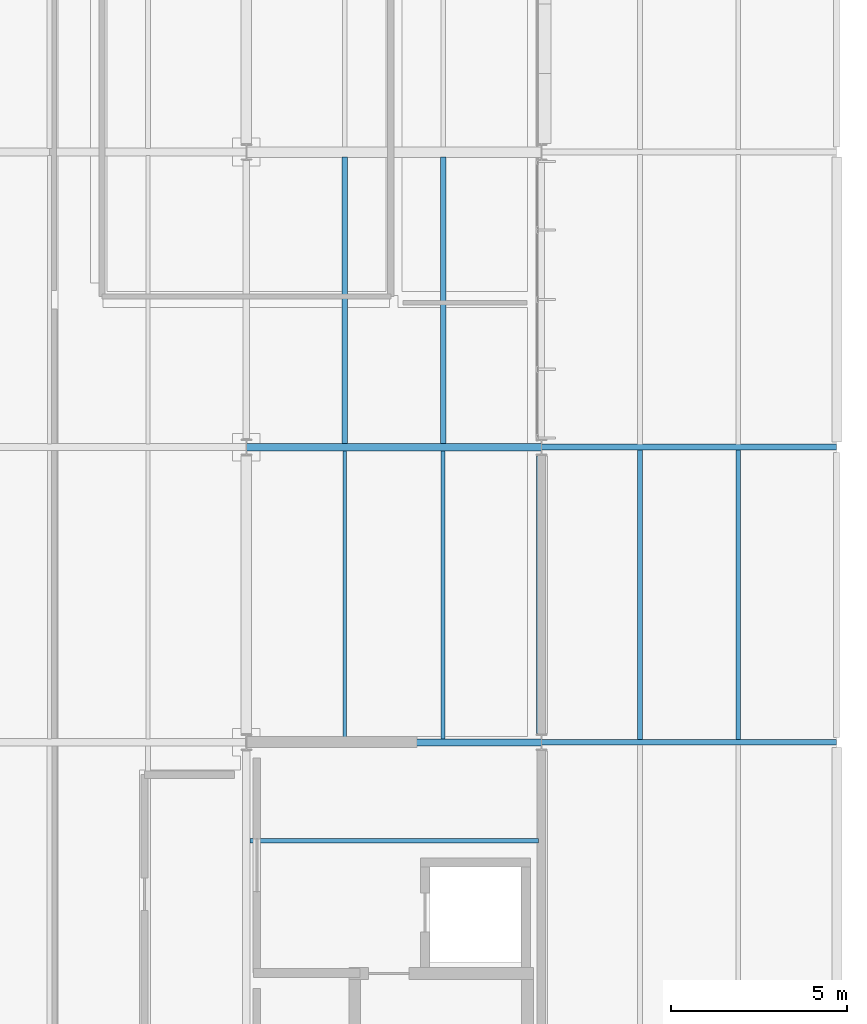
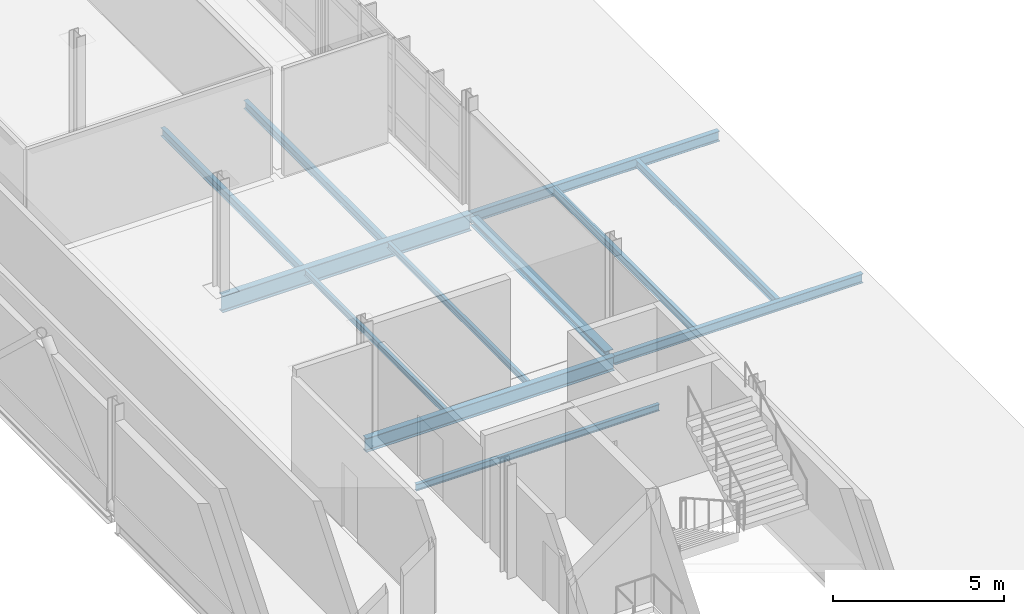
# One storey, part 94 of 151: 12 beams.
"""IFC4 building model written with IfcOpenShell, lengths in metres."""

import ifcopenshell
import ifcopenshell.guid

model = None  # the IFC model being written
_history = None  # IfcOwnerHistory: only IFC2X3 demands one
_inside = {}  # id of a spatial element -> (the spatial element, [elements in it])
_under = {}  # id of a project, library or spatial element -> (it, [spatial elements below it])
_declared = {}  # id of a project -> (the project, [libraries it declares])
_typed = {}  # id of a type object -> (the type object, [elements of that type])
_made_of = {}  # id of a material, layer set ... -> (it, [elements and type objects made of it])


def new_model(schema):
    """Start an empty IFC model of exactly this schema.

    Asked for "IFC4X3", IfcOpenShell would pick the latest addendum, in which some entities
    have other attributes; the version numbers below select the first issue.
    IFC2X3 requires an IfcOwnerHistory on every rooted entity: one is made here for all.
    """
    global model, _history
    if schema == "IFC4X3":
        model = ifcopenshell.file(schema_version=(4, 3, 0, 0))
    else:
        model = ifcopenshell.file(schema=schema)
    _inside.clear()
    _under.clear()
    _declared.clear()
    _typed.clear()
    _made_of.clear()
    _history = None
    if model.schema == "IFC2X3":
        org = make("IfcOrganization", Name="unknown")
        user = make(
            "IfcPersonAndOrganization",
            ThePerson=make("IfcPerson", FamilyName="unknown"),
            TheOrganization=org,
        )
        app = make(
            "IfcApplication",
            ApplicationDeveloper=org,
            Version="unknown",
            ApplicationFullName="unknown",
            ApplicationIdentifier="unknown",
        )
        _history = make(
            "IfcOwnerHistory",
            OwningUser=user,
            OwningApplication=app,
            ChangeAction="ADDED",
            CreationDate=0,
        )
    return model


def make(cls, **values):
    """One entity of the class cls with the attributes given. An attribute that is None is left unset."""
    return model.create_entity(
        cls, **{name: value for name, value in values.items() if value is not None}
    )


def rooted(cls, **values):
    """An entity with a GlobalId (a new one), such as an element, a storey or a relation."""
    return make(cls, GlobalId=ifcopenshell.guid.new(), OwnerHistory=_history, **values)


def si_unit(unit_type, name, prefix=None):
    """IfcSIUnit, for example si_unit("LENGTHUNIT", "METRE", prefix="MILLI")."""
    return make("IfcSIUnit", UnitType=unit_type, Prefix=prefix, Name=name)


def assignment(units):
    """IfcUnitAssignment: the units of a project."""
    return None if units is None else make("IfcUnitAssignment", Units=units)


def point(xyz):
    """IfcCartesianPoint."""
    return None if xyz is None else make("IfcCartesianPoint", Coordinates=xyz)


def direction(xyz):
    """IfcDirection."""
    return None if xyz is None else make("IfcDirection", DirectionRatios=xyz)


def frame(location, z_axis=None, x_axis=None):
    """IfcAxis2Placement3D, a coordinate frame: its origin and axes. An axis left out is left unset."""
    return make(
        "IfcAxis2Placement3D",
        Location=point(location),
        Axis=direction(z_axis),
        RefDirection=direction(x_axis),
    )


def frame_2d(location, x_axis=None):
    """IfcAxis2Placement2D, a coordinate frame in the plane: its origin and x axis."""
    return make(
        "IfcAxis2Placement2D", Location=point(location), RefDirection=direction(x_axis)
    )


def origin():
    """The frame at (0, 0, 0) with its axes left unset."""
    return frame((0.0, 0.0, 0.0))


def origin_2d():
    """The frame at (0, 0) in the plane with its x axis left unset."""
    return frame_2d((0.0, 0.0))


def place(relative_to, where):
    """IfcLocalPlacement: puts the frame where relative to a parent placement (None: the world)."""
    return make(
        "IfcLocalPlacement", PlacementRelTo=relative_to, RelativePlacement=where
    )


def context(
    kind, dimensions, precision=None, world=None, true_north=None, identifier=None
):
    """IfcGeometricRepresentationContext, for example the 3D "Model" context."""
    return make(
        "IfcGeometricRepresentationContext",
        ContextIdentifier=identifier,
        ContextType=kind,
        CoordinateSpaceDimension=dimensions,
        Precision=precision,
        WorldCoordinateSystem=world,
        TrueNorth=true_north,
    )


def subcontext(parent, identifier, kind, view, scale=None):
    """IfcGeometricRepresentationSubContext, for example "Body" below "Model"."""
    return make(
        "IfcGeometricRepresentationSubContext",
        ContextIdentifier=identifier,
        ContextType=kind,
        ParentContext=parent,
        TargetScale=scale,
        TargetView=view,
    )


def project(units=None, contexts=None):
    """IfcProject with its units and contexts."""
    return rooted(
        "IfcProject",
        Name="project",
        RepresentationContexts=contexts,
        UnitsInContext=assignment(units),
    )


def spatial(cls, under=None, at=None, **own):
    """A site, building, storey or space (cls), placed at a placement, below another one or the project."""
    s = rooted(cls, ObjectPlacement=at, **own)
    if under is not None:
        _under.setdefault(under.id(), (under, []))[1].append(s)
    return s


def profile(cls, at=None, kind="AREA", **sizes):
    """A parametric profile (cls). Its sizes go by their IFC names, for example OverallWidth=200.0."""
    return make(cls, ProfileType=kind, Position=at, **sizes)


def i_section(**sizes):
    """IfcIShapeProfileDef."""
    return profile("IfcIShapeProfileDef", **sizes)


def extrude(swept, where, along, depth):
    """IfcExtrudedAreaSolid: the profile swept, set in the frame where, extruded along a direction by depth."""
    return make(
        "IfcExtrudedAreaSolid",
        SweptArea=swept,
        Position=where,
        ExtrudedDirection=direction(along),
        Depth=depth,
    )


def shape(context_of_items, identifier, shape_type, items):
    """IfcShapeRepresentation: the items that make up one representation, for example the "Body"."""
    return make(
        "IfcShapeRepresentation",
        ContextOfItems=context_of_items,
        RepresentationIdentifier=identifier,
        RepresentationType=shape_type,
        Items=items,
    )


def material(Name=None, Category=None):
    """IfcMaterial."""
    return make("IfcMaterial", Name=Name, Category=Category)


def material_profile(
    of_material, cross_section, Name=None, Category=None, Priority=None
):
    """IfcMaterialProfile: a cross section and its material."""
    return make(
        "IfcMaterialProfile",
        Name=Name,
        Material=of_material,
        Profile=cross_section,
        Priority=Priority,
        Category=Category,
    )


def profile_set(profiles, Name=None, composite=None):
    """IfcMaterialProfileSet."""
    return make(
        "IfcMaterialProfileSet",
        Name=Name,
        MaterialProfiles=profiles,
        CompositeProfile=composite,
    )


def made_of(thing, what):
    """Note that an element or type object is made of a material, layer set ...; save() writes the relation."""
    if what is not None:
        _made_of.setdefault(what.id(), (what, []))[1].append(thing)
    return thing


def type_object(cls, material=None, **own):
    """A type object (cls), such as IfcWallType, which elements share."""
    return made_of(rooted(cls, **own), material)


def element(
    cls,
    number,
    at=None,
    inside=None,
    cuts=None,
    type_object=None,
    material=None,
    context=None,
    identifier="Body",
    shape_type=None,
    held_by="IfcProductDefinitionShape",
    body=None,
    shapes=None,
    **own,
):
    """One element of the class cls, such as IfcWall. Its Tag is "e" and its number.

    at: its placement. inside: the storey or other place that contains it. cuts: it is an
    opening in that element (IfcRelVoidsElement). A single representation is given by context,
    identifier, shape_type and body (its items); several are given by shapes. held_by: the class
    of the entity that holds the representations. save() writes the other relations.
    """
    e = rooted(cls, Tag="e%d" % number, ObjectPlacement=at, **own)
    if body is not None:
        shapes = [shape(context, identifier, shape_type, body)]
    if shapes is not None:
        e.Representation = make(held_by, Representations=shapes)
    if inside is not None:
        _inside.setdefault(inside.id(), (inside, []))[1].append(e)
    if cuts is not None:
        rooted(
            "IfcRelVoidsElement", RelatingBuildingElement=cuts, RelatedOpeningElement=e
        )
    if type_object is not None:
        _typed.setdefault(type_object.id(), (type_object, []))[1].append(e)
    return made_of(e, material)


def aggregate(whole, parts):
    """IfcRelAggregates: a whole, such as a stair, and the parts it consists of."""
    return rooted("IfcRelAggregates", RelatingObject=whole, RelatedObjects=parts)


def save(model, path):
    """Write the relations noted so far, then the file.

    IfcRelAggregates (storeys below a building ...), IfcRelContainedInSpatialStructure (elements
    in a storey), IfcRelDefinesByType, IfcRelAssociatesMaterial and IfcRelDeclares: one each for
    every whole, place, type object, material and project.
    """
    for whole, parts in _under.values():
        aggregate(whole, parts)
    for where, things in _inside.values():
        rooted(
            "IfcRelContainedInSpatialStructure",
            RelatedElements=things,
            RelatingStructure=where,
        )
    for kind, things in _typed.values():
        rooted("IfcRelDefinesByType", RelatedObjects=things, RelatingType=kind)
    for what, things in _made_of.values():
        rooted("IfcRelAssociatesMaterial", RelatedObjects=things, RelatingMaterial=what)
    for by, libraries in _declared.values():
        rooted("IfcRelDeclares", RelatingContext=by, RelatedDefinitions=libraries)
    model.write(path)


model = new_model("IFC4")

# Units and contexts
model_context = context("Model", 3, precision=1e-05, world=origin(), true_north=direction((0.0, 1.0)))
body_context = subcontext(model_context, "Body", "Model", "MODEL_VIEW")
ifc_project = project(units=[si_unit("LENGTHUNIT", "METRE"), si_unit("AREAUNIT", "SQUARE_METRE"), si_unit("VOLUMEUNIT", "CUBIC_METRE"), si_unit("PLANEANGLEUNIT", "RADIAN"), si_unit("MASSUNIT", "GRAM", prefix="KILO")], contexts=[model_context])

# Site, building, storey
site_placement = place(None, origin())
site = spatial("IfcSite", under=ifc_project, at=site_placement, CompositionType="ELEMENT")
building_placement = place(site_placement, origin())
building = spatial("IfcBuilding", under=site, at=building_placement, Name="Mersafa Astral City Hall", CompositionType="ELEMENT")
storey_placement = place(building_placement, frame((0.0, 0.0, 9.89990234375)))
storey = spatial("IfcBuildingStorey", under=building, at=storey_placement, Name="L02", CompositionType="ELEMENT", Elevation=9.89990234375)

# Beams
ifc_material = material(Name="Steel S355", Category="steel")
ifc_material_profile_1 = material_profile(ifc_material, i_section(OverallWidth=0.199951171875, OverallDepth=0.5, WebThickness=0.01025390625, FlangeThickness=0.01611328125, FilletRadius=0.02099609375, at=origin_2d()), Name="IPE 500")
ifc_profile_set_1 = profile_set([ifc_material_profile_1], Name="Steel S355")
beam_type_1 = type_object("IfcBeamType", Name="STR-BM-IPE500", PredefinedType="BEAM", material=ifc_profile_set_1)
beam_1_placement = place(storey_placement, frame((168.0029296875, 67.199951171875, -0.449951171875), z_axis=(1.0, 0.0, 0.0), x_axis=(0.0, 1.0, 0.0)))
element("IfcBeam", 1, at=beam_1_placement, inside=storey, type_object=beam_type_1, Name="L02 Primary girder X 20-8", PredefinedType="BEAM", context=body_context, shape_type="SweptSolid", body=[
    extrude(i_section(OverallWidth=0.199951171875, OverallDepth=0.5, WebThickness=0.01025390625, FlangeThickness=0.01611328125, FilletRadius=0.02099609375, at=origin_2d()), origin(), (0.0, 0.0, 1.0), 8.39404296875),
])
ifc_material_profile_2 = material_profile(ifc_material, i_section(OverallWidth=0.219970703125, OverallDepth=0.60009765625, WebThickness=0.011962890625, FlangeThickness=0.01904296875, FilletRadius=0.02392578125, at=origin_2d()), Name="IPE 600")
ifc_profile_set_2 = profile_set([ifc_material_profile_2], Name="Steel S355")
beam_type_2 = type_object("IfcBeamType", Name="STR-BM-IPE600", PredefinedType="BEAM", material=ifc_profile_set_2)
beam_2_placement = place(storey_placement, frame((168.0029296875, 75.60009765625, -0.5), z_axis=(1.0, 0.0, 0.0), x_axis=(0.0, 1.0, 0.0)))
element("IfcBeam", 2, at=beam_2_placement, inside=storey, type_object=beam_type_2, Name="L02 Primary girder X 20-9", PredefinedType="BEAM", context=body_context, shape_type="SweptSolid", body=[
    extrude(i_section(OverallWidth=0.219970703125, OverallDepth=0.60009765625, WebThickness=0.011962890625, FlangeThickness=0.01904296875, FilletRadius=0.02392578125, at=origin_2d()), origin(), (0.0, 0.0, 1.0), 8.39404296875),
])
ifc_material_profile_3 = material_profile(ifc_material, i_section(OverallWidth=0.110107421875, OverallDepth=0.219970703125, WebThickness=0.005859375, FlangeThickness=0.00927734375, FilletRadius=0.011962890625, at=origin_2d()), Name="IPE 220")
ifc_profile_set_3 = profile_set([ifc_material_profile_3], Name="Steel S355")
beam_type_3 = type_object("IfcBeamType", Name="STR-BM-JOIST-IPE220", PredefinedType="JOIST", material=ifc_profile_set_3)
for number, where, z_axis, x_axis, name in (
    (3, (170.800048828125, 67.294921875, -0.309814453125), (0.0, 1.0, 0.0), (-1.0, 0.0, 0.0), "L02 Composite secondary floor joist 541"),
    (4, (173.60009765625, 67.294921875, -0.309814453125), (0.0, 1.0, 0.0), (-1.0, 0.0, 0.0), "L02 Composite secondary floor joist 542"),
):
    element("IfcBeam", number, at=place(storey_placement, frame(where, z_axis=z_axis, x_axis=x_axis)), inside=storey, type_object=beam_type_3, Name=name, PredefinedType="JOIST", context=body_context, shape_type="SweptSolid", body=[
        extrude(i_section(OverallWidth=0.110107421875, OverallDepth=0.219970703125, WebThickness=0.005859375, FlangeThickness=0.00927734375, FilletRadius=0.011962890625, at=origin_2d()), origin(), (0.0, 0.0, 1.0), 8.2001953125),
    ])
ifc_material_profile_4 = material_profile(ifc_material, i_section(OverallWidth=0.1201171875, OverallDepth=0.239990234375, WebThickness=0.006103515625, FlangeThickness=0.009765625, FilletRadius=0.014892578125, at=origin_2d()), Name="IPE 240")
ifc_profile_set_4 = profile_set([ifc_material_profile_4], Name="Steel S355")
beam_type_4 = type_object("IfcBeamType", Name="STR-BM-JOIST-IPE240", PredefinedType="JOIST", material=ifc_profile_set_4)
beam_3_placement = place(storey_placement, frame((168.10498046875, 64.39990234375, -0.31982421875), z_axis=(1.0, 0.0, 0.0), x_axis=(0.0, 1.0, 0.0)))
element("IfcBeam", 5, at=beam_3_placement, inside=storey, type_object=beam_type_4, Name="L02 Composite secondary floor joist 540", PredefinedType="JOIST", context=body_context, shape_type="SweptSolid", body=[
    extrude(i_section(OverallWidth=0.1201171875, OverallDepth=0.239990234375, WebThickness=0.006103515625, FlangeThickness=0.009765625, FilletRadius=0.014892578125, at=origin_2d()), origin(), (0.0, 0.0, 1.0), 8.215087890625),
])
ifc_material_profile_5 = material_profile(ifc_material, i_section(OverallWidth=0.135009765625, OverallDepth=0.27001953125, WebThickness=0.006591796875, FlangeThickness=0.01025390625, FilletRadius=0.014892578125, at=origin_2d()), Name="IPE 270")
ifc_profile_set_5 = profile_set([ifc_material_profile_5], Name="Steel S355")
beam_type_5 = type_object("IfcBeamType", Name="STR-BM-JOIST-IPE270", PredefinedType="JOIST", material=ifc_profile_set_5)
for number, where, z_axis, x_axis, name in (
    (6, (179.199951171875, 67.27490234375, -0.3349609375), (0.0, 1.0, 0.0), (-1.0, 0.0, 0.0), "L02 Flat roof secondary joist 29"),
    (7, (182.0, 67.27490234375, -0.3349609375), (0.0, 1.0, 0.0), (-1.0, 0.0, 0.0), "L02 Flat roof secondary joist 30"),
):
    element("IfcBeam", number, at=place(storey_placement, frame(where, z_axis=z_axis, x_axis=x_axis)), inside=storey, type_object=beam_type_5, Name=name, PredefinedType="JOIST", context=body_context, shape_type="SweptSolid", body=[
        extrude(i_section(OverallWidth=0.135009765625, OverallDepth=0.27001953125, WebThickness=0.006591796875, FlangeThickness=0.01025390625, FilletRadius=0.014892578125, at=origin_2d()), origin(), (0.0, 0.0, 1.0), 8.2451171875),
    ])
ifc_material_profile_6 = material_profile(ifc_material, i_section(OverallWidth=0.14990234375, OverallDepth=0.300048828125, WebThickness=0.007080078125, FlangeThickness=0.0107421875, FilletRadius=0.014892578125, at=origin_2d()), Name="IPE 300")
ifc_profile_set_6 = profile_set([ifc_material_profile_6], Name="Steel S355")
beam_type_6 = type_object("IfcBeamType", Name="STR-BM-JOIST-IPE300", PredefinedType="JOIST", material=ifc_profile_set_6)
for number, where, z_axis, x_axis, name in (
    (8, (170.800048828125, 75.705078125, -0.349853515625), (0.0, 1.0, 0.0), (-1.0, 0.0, 0.0), "L02 Composite secondary floor joist 543"),
    (9, (173.60009765625, 75.705078125, -0.349853515625), (0.0, 1.0, 0.0), (-1.0, 0.0, 0.0), "L02 Composite secondary floor joist 544"),
):
    element("IfcBeam", number, at=place(storey_placement, frame(where, z_axis=z_axis, x_axis=x_axis)), inside=storey, type_object=beam_type_6, Name=name, PredefinedType="JOIST", context=body_context, shape_type="SweptSolid", body=[
        extrude(i_section(OverallWidth=0.14990234375, OverallDepth=0.300048828125, WebThickness=0.007080078125, FlangeThickness=0.0107421875, FilletRadius=0.014892578125, at=origin_2d()), origin(), (0.0, 0.0, 1.0), 8.14990234375),
    ])
ifc_material_profile_7 = material_profile(ifc_material, i_section(OverallWidth=0.280029296875, OverallDepth=0.27001953125, WebThickness=0.008056640625, FlangeThickness=0.012939453125, FilletRadius=0.02392578125, at=origin_2d()), Name="HEA 280")
ifc_profile_set_7 = profile_set([ifc_material_profile_7], Name="Steel S355")
beam_type_7 = type_object("IfcBeamType", Name="STR-BM-SPANDREL-HEA280", PredefinedType="SPANDREL", material=ifc_profile_set_7)
beam_4_placement = place(storey_placement, frame((176.39990234375, 67.445068359375, -0.3349609375), z_axis=(0.0, 1.0, 0.0), x_axis=(-1.0, 0.0, 0.0)))
element("IfcBeam", 10, at=beam_4_placement, inside=storey, type_object=beam_type_7, Name="L02 Primary girder Y 21-8", PredefinedType="SPANDREL", context=body_context, shape_type="SweptSolid", body=[
    extrude(i_section(OverallWidth=0.280029296875, OverallDepth=0.27001953125, WebThickness=0.008056640625, FlangeThickness=0.012939453125, FilletRadius=0.02392578125, at=origin_2d()), origin(), (0.0, 0.0, 1.0), 7.909912109375),
])
ifc_material_profile_8 = material_profile(ifc_material, i_section(OverallWidth=0.159912109375, OverallDepth=0.330078125, WebThickness=0.007568359375, FlangeThickness=0.011474609375, FilletRadius=0.01806640625, at=origin_2d()), Name="IPE 330")
ifc_profile_set_8 = profile_set([ifc_material_profile_8], Name="Steel S355")
beam_type_8 = type_object("IfcBeamType", Name="STR-BM-SPANDREL-IPE330", PredefinedType="SPANDREL", material=ifc_profile_set_8)
beam_5_placement = place(storey_placement, frame((176.403076171875, 67.199951171875, -0.364990234375), z_axis=(1.0, 0.0, 0.0), x_axis=(0.0, 1.0, 0.0)))
element("IfcBeam", 11, at=beam_5_placement, inside=storey, type_object=beam_type_8, Name="L02 Primary girder X 21-8", PredefinedType="SPANDREL", context=body_context, shape_type="SweptSolid", body=[
    extrude(i_section(OverallWidth=0.159912109375, OverallDepth=0.330078125, WebThickness=0.007568359375, FlangeThickness=0.011474609375, FilletRadius=0.01806640625, at=origin_2d()), origin(), (0.0, 0.0, 1.0), 8.39404296875),
])
ifc_material_profile_9 = material_profile(ifc_material, i_section(OverallWidth=0.169921875, OverallDepth=0.360107421875, WebThickness=0.008056640625, FlangeThickness=0.0126953125, FilletRadius=0.01806640625, at=origin_2d()), Name="IPE 360")
ifc_profile_set_9 = profile_set([ifc_material_profile_9], Name="Steel S355")
beam_type_9 = type_object("IfcBeamType", Name="STR-BM-SPANDREL-IPE360", PredefinedType="SPANDREL", material=ifc_profile_set_9)
beam_6_placement = place(storey_placement, frame((176.403076171875, 75.60009765625, -0.3798828125), z_axis=(1.0, 0.0, 0.0), x_axis=(0.0, 1.0, 0.0)))
element("IfcBeam", 12, at=beam_6_placement, inside=storey, type_object=beam_type_9, Name="L02 Primary girder X 21-9", PredefinedType="SPANDREL", context=body_context, shape_type="SweptSolid", body=[
    extrude(i_section(OverallWidth=0.169921875, OverallDepth=0.360107421875, WebThickness=0.008056640625, FlangeThickness=0.0126953125, FilletRadius=0.01806640625, at=origin_2d()), origin(), (0.0, 0.0, 1.0), 8.39404296875),
])

save(model, "model.ifc")
